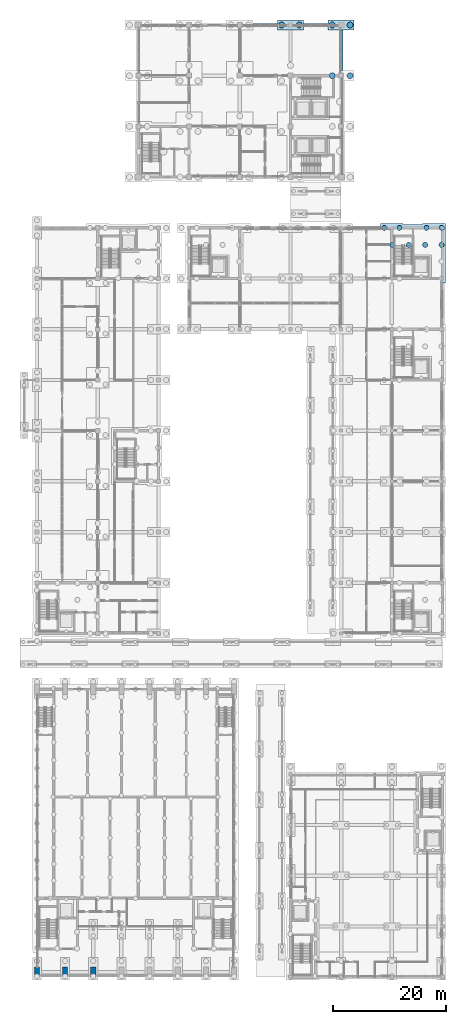
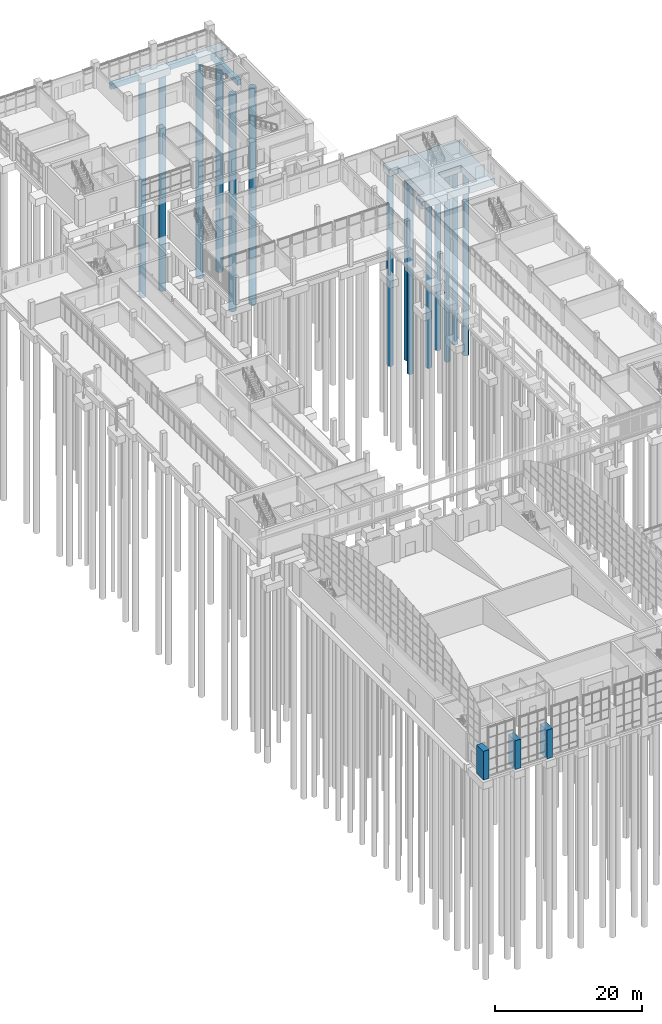
# One storey, part 8 of 106: 14 piles, 6 footings, 3 columns.
"""IFC4 building model written with IfcOpenShell, lengths in metres."""

from ifc_helpers import new_model, si_unit, direction, frame, origin, origin_2d, place, context, subcontext, project, spatial, polyline, rectangle, circle, outline, extrude, material, material_profile, profile_set, type_object, element, save


model = new_model("IFC4")

# Units and contexts
model_context = context("Model", 3, precision=1e-05, world=origin(), true_north=direction((0.0, 1.0)))
body_context = subcontext(model_context, "Body", "Model", "MODEL_VIEW")
ifc_project = project(units=[si_unit("LENGTHUNIT", "METRE"), si_unit("AREAUNIT", "SQUARE_METRE"), si_unit("VOLUMEUNIT", "CUBIC_METRE"), si_unit("PLANEANGLEUNIT", "RADIAN"), si_unit("MASSUNIT", "GRAM", prefix="KILO")], contexts=[model_context])

# Site, building, storey
site_placement = place(None, origin())
site = spatial("IfcSite", under=ifc_project, at=site_placement, CompositionType="ELEMENT")
building_placement = place(site_placement, origin())
building = spatial("IfcBuilding", under=site, at=building_placement, Name="Merrow Basin Faculty of Sciences", CompositionType="ELEMENT")
storey_placement = place(building_placement, origin())
storey = spatial("IfcBuildingStorey", under=building, at=storey_placement, Name="L00", CompositionType="ELEMENT", Elevation=0.0)

# Piles
ifc_material_1 = material(Name="Concrete C40/50", Category="concrete")
ifc_material_profile_1 = material_profile(ifc_material_1, circle(Radius=0.52490234375, at=origin_2d()))
ifc_profile_set_1 = profile_set([ifc_material_profile_1], Name="Concrete C40/50")
pile_type_1 = type_object("IfcPileType", Name="Bored pile 1050 Concrete C40/50", PredefinedType="BORED", material=ifc_profile_set_1)
for number, where, z_axis, x_axis, name in (
    (1, (43.425048828125, 169.0, -1.39990234375), (0.0, 0.0, -1.0), (1.0, 0.0, 0.0), "BP 326"),
    (2, (46.574951171875, 169.0, -1.39990234375), (0.0, 0.0, -1.0), (1.0, 0.0, 0.0), "BP 360"),
    (3, (52.425048828125, 160.0, -1.39990234375), (0.0, 0.0, -1.0), (1.0, 0.0, 0.0), "BP 385"),
    (4, (52.425048828125, 169.0, -1.39990234375), (0.0, 0.0, -1.0), (1.0, 0.0, 0.0), "BP 386"),
    (5, (55.574951171875, 160.0, -1.39990234375), (0.0, 0.0, -1.0), (1.0, 0.0, 0.0), "BP 434"),
    (6, (55.574951171875, 169.0, -1.39990234375), (0.0, 0.0, -1.0), (1.0, 0.0, 0.0), "BP 435"),
):
    element("IfcPile", number, at=place(storey_placement, frame(where, z_axis=z_axis, x_axis=x_axis)), inside=storey, type_object=pile_type_1, Name=name, PredefinedType="BORED", context=body_context, shape_type="SweptSolid", body=[
        extrude(circle(Radius=0.52490234375, at=origin_2d()), origin(), (0.0, 0.0, 1.0), 36.10009765625),
    ])
ifc_material_2 = material(Name="Concrete C40/50", Category="concrete")
ifc_material_profile_2 = material_profile(ifc_material_2, circle(Radius=0.449951171875, at=origin_2d()))
ifc_profile_set_2 = profile_set([ifc_material_profile_2], Name="Concrete C40/50")
pile_type_2 = type_object("IfcPileType", Name="Bored pile 900 Concrete C40/50", PredefinedType="BORED", material=ifc_profile_set_2)
for number, where, z_axis, x_axis, name in (
    (7, (61.64990234375, 133.0, -1.39990234375), (0.0, 0.0, -1.0), (1.0, 0.0, 0.0), "BP 445"),
    (8, (63.080078125, 129.972900390625, -1.39990234375), (0.0, 0.0, -1.0), (1.0, 0.0, 0.0), "BP 459"),
    (9, (64.35009765625, 133.0, -1.39990234375), (0.0, 0.0, -1.0), (1.0, 0.0, 0.0), "BP 471"),
    (10, (65.992919921875, 129.972900390625, -1.39990234375), (0.0, 0.0, -1.0), (1.0, 0.0, 0.0), "BP 474"),
    (11, (68.906982421875, 129.972900390625, -1.39990234375), (0.0, 0.0, -1.0), (1.0, 0.0, 0.0), "BP 482"),
    (12, (69.139892578125, 133.0, -1.39990234375), (0.0, 0.0, -1.0), (1.0, 0.0, 0.0), "BP 488"),
    (13, (71.820068359375, 129.972900390625, -1.39990234375), (0.0, 0.0, -1.0), (1.0, 0.0, 0.0), "BP 497"),
    (14, (71.840087890625, 133.0, -1.39990234375), (0.0, 0.0, -1.0), (1.0, 0.0, 0.0), "BP 515"),
):
    element("IfcPile", number, at=place(storey_placement, frame(where, z_axis=z_axis, x_axis=x_axis)), inside=storey, type_object=pile_type_2, Name=name, PredefinedType="BORED", context=body_context, shape_type="SweptSolid", body=[
        extrude(circle(Radius=0.449951171875, at=origin_2d()), origin(), (0.0, 0.0, 1.0), 32.10009765625),
    ])

# Footings
ifc_material_3 = material(Name="Concrete C40/50", Category="concrete")
footing_type_1 = type_object("IfcFootingType", Name="Ground beam 600x900 Concrete C40/50", PredefinedType="FOOTING_BEAM", material=ifc_material_3)
footing_1_placement = place(storey_placement, frame((0.0, 0.0, -1.199951171875)))
element("IfcFooting", 15, at=footing_1_placement, inside=storey, type_object=footing_type_1, Name="GB 111", PredefinedType="FOOTING_BEAM", context=body_context, shape_type="SweptSolid", body=[
    extrude(outline(polyline([(38.31005859375, 168.699951171875), (42.68994140625, 168.699951171875), (42.68994140625, 169.300048828125), (38.31005859375, 169.300048828125), (38.31005859375, 168.699951171875)])), origin(), (0.0, 0.0, 1.0), 0.89990234375),
])
footing_2_placement = place(storey_placement, frame((0.0, 0.0, -1.199951171875)))
element("IfcFooting", 16, at=footing_2_placement, inside=storey, type_object=footing_type_1, Name="GB 112", PredefinedType="FOOTING_BEAM", context=body_context, shape_type="SweptSolid", body=[
    extrude(outline(polyline([(47.31005859375, 168.699951171875), (51.68994140625, 168.699951171875), (51.68994140625, 169.300048828125), (47.31005859375, 169.300048828125), (47.31005859375, 168.699951171875)])), origin(), (0.0, 0.0, 1.0), 0.89990234375),
])
footing_3_placement = place(storey_placement, frame((0.0, 0.0, -1.199951171875)))
element("IfcFooting", 17, at=footing_3_placement, inside=storey, type_object=footing_type_1, Name="GB 121", PredefinedType="FOOTING_BEAM", context=body_context, shape_type="SweptSolid", body=[
    extrude(outline(polyline([(53.699951171875, 160.885009765625), (54.300048828125, 160.885009765625), (54.300048828125, 168.114990234375), (53.699951171875, 168.114990234375), (53.699951171875, 160.885009765625)])), origin(), (0.0, 0.0, 1.0), 0.89990234375),
])
ifc_material_4 = material(Name="Concrete C40/50", Category="concrete")
footing_type_2 = type_object("IfcFootingType", Name="Pile cap 2 piles 4620x1770 Concrete C40/50", PredefinedType="PILE_CAP", material=ifc_material_4)
footing_4_placement = place(storey_placement, frame((0.0, 0.0, -1.5)))
element("IfcFooting", 18, at=footing_4_placement, inside=storey, type_object=footing_type_2, Name="PC12 066", PredefinedType="PILE_CAP", context=body_context, shape_type="SweptSolid", body=[
    extrude(outline(polyline([(42.68994140625, 169.885009765625), (47.31005859375, 169.885009765625), (47.31005859375, 168.114990234375), (42.68994140625, 168.114990234375), (42.68994140625, 169.885009765625)])), origin(), (0.0, 0.0, 1.0), 1.199951171875),
])
footing_5_placement = place(storey_placement, frame((0.0, 0.0, -1.5)))
element("IfcFooting", 19, at=footing_5_placement, inside=storey, type_object=footing_type_2, Name="PC12 092", PredefinedType="PILE_CAP", context=body_context, shape_type="SweptSolid", body=[
    extrude(outline(polyline([(51.68994140625, 169.885009765625), (56.31005859375, 169.885009765625), (56.31005859375, 168.114990234375), (51.68994140625, 168.114990234375), (51.68994140625, 169.885009765625)])), origin(), (0.0, 0.0, 1.0), 1.199951171875),
])
ifc_material_5 = material(Name="Concrete C40/50", Category="concrete")
footing_type_3 = type_object("IfcFootingType", Name="Pile raft 118 Concrete C40/50", PredefinedType="PILE_CAP", material=ifc_material_5)
footing_6_placement = place(storey_placement, frame((0.0, 0.0, -1.5)))
element("IfcFooting", 20, at=footing_6_placement, inside=storey, type_object=footing_type_3, Name="PC22 118", PredefinedType="PILE_CAP", context=body_context, shape_type="SweptSolid", body=[
    extrude(outline(polyline([(60.989990234375, 124.81005859375), (62.39990234375, 124.81005859375), (62.39990234375, 132.18994140625), (60.989990234375, 132.18994140625), (60.989990234375, 133.81005859375), (65.010009765625, 133.81005859375), (65.010009765625, 133.60009765625), (68.47998046875, 133.60009765625), (68.47998046875, 133.81005859375), (72.5, 133.81005859375), (72.5, 133.60009765625), (72.5, 132.18994140625), (72.5, 124.81005859375), (72.5, 123.39990234375), (72.5, 123.18994140625), (68.47998046875, 123.18994140625), (68.47998046875, 123.39990234375), (65.010009765625, 123.39990234375), (65.010009765625, 123.18994140625), (60.989990234375, 123.18994140625), (60.989990234375, 124.81005859375)]), holes=[polyline([(70.050048828125, 128.14990234375), (66.35009765625, 128.14990234375), (66.35009765625, 123.85009765625), (68.47998046875, 123.85009765625), (70.050048828125, 123.85009765625), (70.050048828125, 124.81005859375), (70.050048828125, 128.14990234375)])]), origin(), (0.0, 0.0, 1.0), 1.199951171875),
])

# Columns
ifc_material_6 = material(Name="Concrete C50/60", Category="concrete")
ifc_material_profile_3 = material_profile(ifc_material_6, rectangle(XDim=0.89990234375, YDim=1.800048828125, at=origin_2d()))
ifc_profile_set_3 = profile_set([ifc_material_profile_3], Name="Concrete C50/60")
column_type = type_object("IfcColumnType", Name="Column RC900x1800 C50/60", PredefinedType="COLUMN", material=ifc_profile_set_3)
for number, where, z_axis, x_axis, name in (
    (21, (0.0, 0.89990234375, -0.300048828125), (0.0, 0.0, 1.0), (1.0, 0.0, 0.0), "Column A L00"),
    (22, (5.0, 0.89990234375, -0.300048828125), (0.0, 0.0, 1.0), (1.0, 0.0, 0.0), "Column K L00"),
    (23, (10.0, 0.89990234375, -0.300048828125), (0.0, 0.0, 1.0), (1.0, 0.0, 0.0), "Column L L00"),
):
    element("IfcColumn", number, at=place(storey_placement, frame(where, z_axis=z_axis, x_axis=x_axis)), inside=storey, type_object=column_type, Name=name, PredefinedType="COLUMN", context=body_context, shape_type="SweptSolid", body=[
        extrude(rectangle(XDim=0.89990234375, YDim=1.800048828125, at=origin_2d()), origin(), (0.0, 0.0, 1.0), 4.800048828125),
    ])

save(model, "model.ifc")
